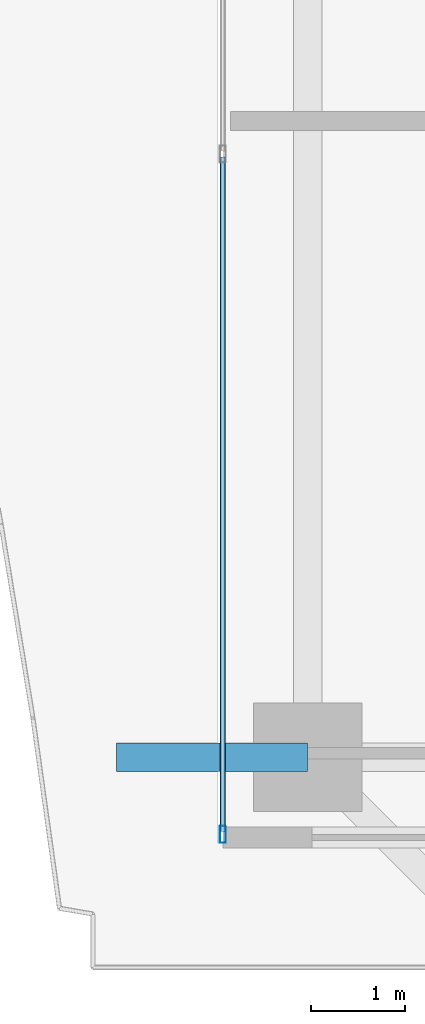
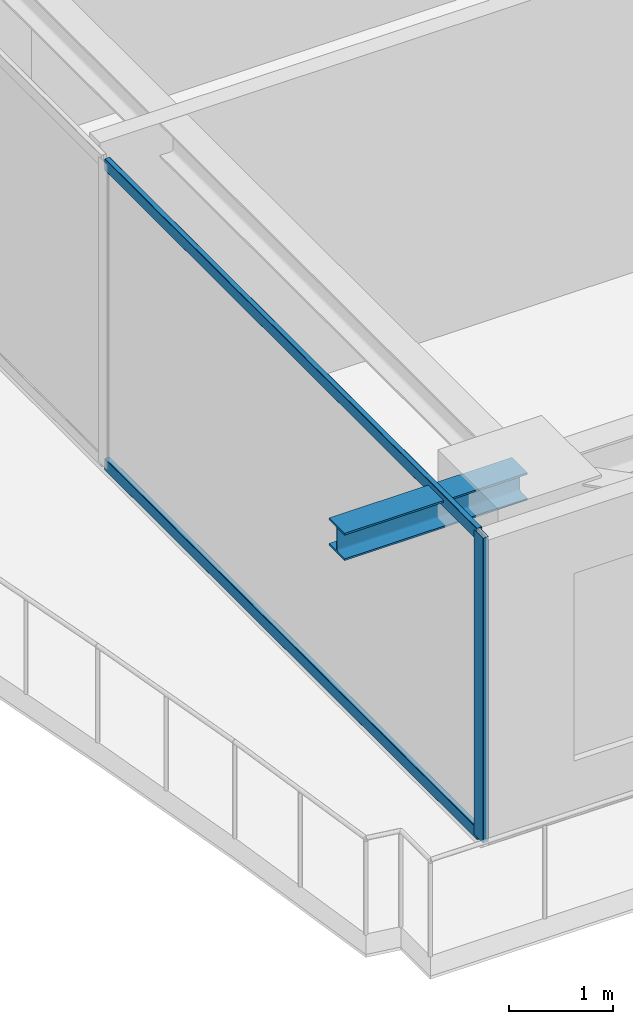
# One storey, part 3 of 36: 3 members, 1 beam, 1 element without a shape of its own.
"""IFC4 building model written with IfcOpenShell, lengths in metres."""

from ifc_helpers import new_model, si_unit, direction, frame, origin, origin_2d, place, context, subcontext, project, spatial, hollow_rectangle, i_section, extrude, source, transform, mapped, material, layer, layer_set, material_profile, profile_set, type_object, element, aggregate, save


model = new_model("IFC4")

# Units and contexts
model_context = context("Model", 3, precision=1e-05, world=origin(), true_north=direction((0.0, 1.0)))
body_context = subcontext(model_context, "Body", "Model", "MODEL_VIEW")
ifc_project = project(units=[si_unit("LENGTHUNIT", "METRE"), si_unit("AREAUNIT", "SQUARE_METRE"), si_unit("VOLUMEUNIT", "CUBIC_METRE"), si_unit("PLANEANGLEUNIT", "RADIAN"), si_unit("MASSUNIT", "GRAM", prefix="KILO")], contexts=[model_context])

# Site, building, storey
site_placement = place(None, origin())
site = spatial("IfcSite", under=ifc_project, at=site_placement, CompositionType="ELEMENT")
building_placement = place(site_placement, origin())
building = spatial("IfcBuilding", under=site, at=building_placement, Name="Serunith Strait Residences", CompositionType="ELEMENT")
storey_placement = place(building_placement, frame((0.0, 0.0, 272.050048828125)))
storey = spatial("IfcBuildingStorey", under=building, at=storey_placement, Name="L68", CompositionType="ELEMENT", Elevation=272.050048828125)

# Beam
ifc_material_1 = material(Name="Steel S355J2", Category="steel")
ifc_material_profile_1 = material_profile(ifc_material_1, i_section(OverallWidth=0.300048828125, OverallDepth=0.320068359375, WebThickness=0.011474609375, FlangeThickness=0.0205078125, FilletRadius=0.027099609375, at=origin_2d()), Name="HEB 320")
ifc_profile_set_1 = profile_set([ifc_material_profile_1], Name="Steel S355J2")
beam_type = type_object("IfcBeamType", Name="BM-HEB320", PredefinedType="BEAM", material=ifc_profile_set_1)
shared_shape_1 = source(origin(), body_context, "Body", "SweptSolid", [
    extrude(i_section(OverallWidth=0.300048828125, OverallDepth=0.320068359375, WebThickness=0.011474609375, FlangeThickness=0.0205078125, FilletRadius=0.027099609375, at=origin_2d()), origin(), (0.0, 0.0, 1.0), 2.030029296875),
])
beam_placement = place(storey_placement, frame((8.300048828125, 10.050048828125, 3.39697265625), z_axis=(-1.0, 0.0, 0.0), x_axis=(0.0, -1.0, 0.0)))
element("IfcBeam", 1, at=beam_placement, inside=storey, type_object=beam_type, Name="L69 Cantilevered Balcony Rib TC-W1", PredefinedType="BEAM", context=body_context, shape_type="MappedRepresentation", body=[
    mapped(shared_shape_1, transform((0.0, 0.0, 0.0), scale=1.0)),
])

# Curtain wall, members
ifc_material_2 = material(Name="Pale-Champagne Anodised Aluminium", Category="aluminium")
ifc_layer = layer(ifc_material_2, 0.199951171875, Name="Pale-Champagne Anodised Aluminium")
ifc_layer_set = layer_set([ifc_layer], Name="Pale-Champagne Anodised Aluminium")
curtain_wall_type = type_object("IfcCurtainWallType", Name="CW-SYS4", PredefinedType="NOTDEFINED", material=ifc_layer_set)
curtain_wall_placement = place(storey_placement, origin())
curtain_wall = element("IfcCurtainWall", 2, at=curtain_wall_placement, inside=storey, type_object=curtain_wall_type, Name="L68 W Unitised Fritted Curtain Wall", PredefinedType="NOTDEFINED")
ifc_material_profile_2 = material_profile(ifc_material_2, hollow_rectangle(XDim=0.06494140625, YDim=0.179931640625, WallThickness=0.00341796875, InnerFilletRadius=0.00537109375, OuterFilletRadius=0.0087890625, at=origin_2d()), Name="ALU 180x65x3.5")
ifc_profile_set_2 = profile_set([ifc_material_profile_2], Name="Pale-Champagne Anodised Aluminium")
member_type_1 = type_object("IfcMemberType", Name="CW-SYS4-MULL", PredefinedType="MULLION", material=ifc_profile_set_2)
shared_shape_2 = source(origin(), body_context, "Body", "SweptSolid", [
    extrude(hollow_rectangle(XDim=0.06494140625, YDim=0.179931640625, WallThickness=0.00341796875, InnerFilletRadius=0.00537109375, OuterFilletRadius=0.0087890625, at=origin_2d()), origin(), (0.0, 0.0, 1.0), 3.574951171875),
])
member_1_placement = place(storey_placement, frame((7.39990234375, 9.232421875, 0.0), z_axis=(0.0, 0.0, 1.0), x_axis=(1.0, 0.0, 0.0)))
member_1 = element("IfcMember", 3, at=member_1_placement, type_object=member_type_1, Name="CW-4 mullion 3", PredefinedType="MULLION", context=body_context, shape_type="MappedRepresentation", body=[
    mapped(shared_shape_2, transform((0.0, 0.0, 0.0), scale=1.0)),
])
ifc_material_profile_3 = material_profile(ifc_material_2, hollow_rectangle(XDim=0.06005859375, YDim=0.139892578125, WallThickness=0.00341796875, InnerFilletRadius=0.00537109375, OuterFilletRadius=0.0087890625, at=origin_2d()), Name="ALU 140x60x3.5")
ifc_profile_set_3 = profile_set([ifc_material_profile_3], Name="Pale-Champagne Anodised Aluminium")
member_type_2 = type_object("IfcMemberType", Name="CW-SYS4-TRAN", PredefinedType="USERDEFINED", material=ifc_profile_set_3)
shared_shape_3 = source(origin(), body_context, "Body", "SweptSolid", [
    extrude(hollow_rectangle(XDim=0.06005859375, YDim=0.139892578125, WallThickness=0.00341796875, InnerFilletRadius=0.00537109375, OuterFilletRadius=0.0087890625, at=origin_2d()), origin(), (0.0, 0.0, 1.0), 7.152587890625),
])
member_2_placement = place(storey_placement, frame((7.39990234375, 16.41748046875, 0.030029296875), z_axis=(0.0, -1.0, 0.0), x_axis=(1.0, 0.0, 0.0)))
member_2 = element("IfcMember", 4, at=member_2_placement, type_object=member_type_2, Name="CW-4 transom 2.1", ObjectType="TRANSOM", PredefinedType="USERDEFINED", context=body_context, shape_type="MappedRepresentation", body=[
    mapped(shared_shape_3, transform((0.0, 0.0, 0.0), scale=1.0)),
])
member_3_placement = place(storey_placement, frame((7.39990234375, 16.41748046875, 3.544921875), z_axis=(0.0, -1.0, 0.0), x_axis=(1.0, 0.0, 0.0)))
member_3 = element("IfcMember", 5, at=member_3_placement, type_object=member_type_2, Name="CW-4 transom 2.2", ObjectType="TRANSOM", PredefinedType="USERDEFINED", context=body_context, shape_type="MappedRepresentation", body=[
    mapped(shared_shape_3, transform((0.0, 0.0, 0.0), scale=1.0)),
])
aggregate(curtain_wall, [member_1, member_2, member_3])

save(model, "model.ifc")
